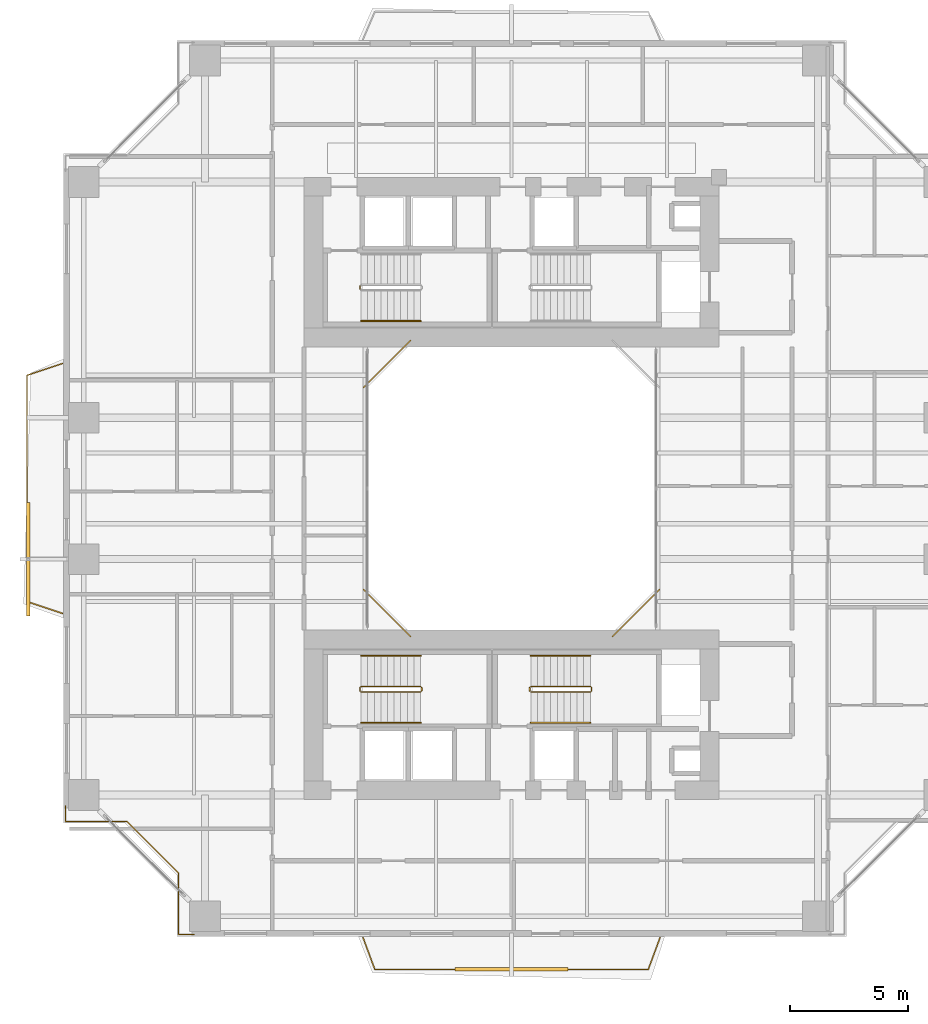
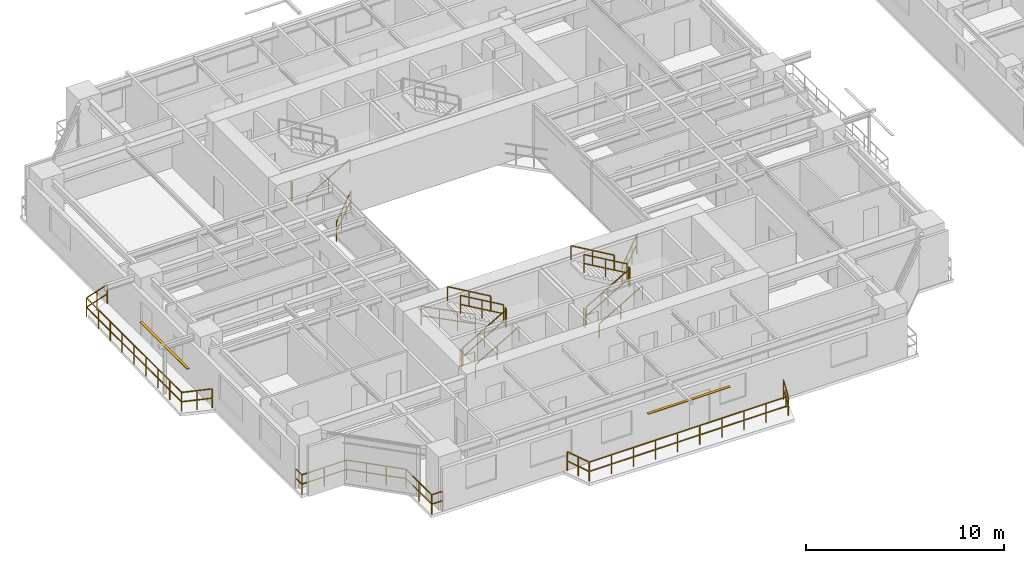
# One storey, part 20 of 24: 20 railings, 2 shading devices.
"""IFC4 building model written with IfcOpenShell, lengths in metres."""

from ifc_helpers import new_model, si_unit, direction, frame, origin, origin_2d, place, context, subcontext, project, spatial, rectangle, extrude, source, transform, mapped, material, material_profile, profile_set, type_object, element, save


model = new_model("IFC4")

# Units and contexts
model_context = context("Model", 3, precision=1e-05, world=origin(), true_north=direction((0.0, 1.0)))
body_context = subcontext(model_context, "Body", "Model", "MODEL_VIEW")
ifc_project = project(units=[si_unit("LENGTHUNIT", "METRE"), si_unit("AREAUNIT", "SQUARE_METRE"), si_unit("VOLUMEUNIT", "CUBIC_METRE"), si_unit("PLANEANGLEUNIT", "RADIAN"), si_unit("MASSUNIT", "GRAM", prefix="KILO"), si_unit("THERMODYNAMICTEMPERATUREUNIT", "KELVIN"), si_unit("POWERUNIT", "WATT")], contexts=[model_context])

# Site, building, storey
site_placement = place(None, origin())
site = spatial("IfcSite", under=ifc_project, at=site_placement, CompositionType="ELEMENT")
building_placement = place(site_placement, origin())
building = spatial("IfcBuilding", under=site, at=building_placement, Name="Qiaomeng Ring Towers", CompositionType="ELEMENT")
storey_placement = place(building_placement, frame((0.0, 0.0, 36.0)))
storey = spatial("IfcBuildingStorey", under=building, at=storey_placement, Name="L09", CompositionType="ELEMENT", Elevation=36.0)

# Railings
ifc_material_1 = material(Name="Low-E pale-green laminated safety glass", Category="glass")
railing_type_1 = type_object("IfcRailingType", Name="ARC-RL-BAL1", PredefinedType="BALUSTRADE", material=ifc_material_1)
railing_1_placement = place(storey_placement, frame((23.280029296875, 16.719970703125, 0.0)))
element("IfcRailing", 1, at=railing_1_placement, inside=storey, type_object=railing_type_1, Name="L09 Balustrade ARC-BAL-WELL1-L09-1", PredefinedType="BALUSTRADE", context=body_context, shape_type="SweptSolid", body=[
    extrude(rectangle(XDim=0.048095703125, YDim=0.048095703125, at=origin_2d()), frame((0.0, 0.0, 1.17578125), z_axis=(0.707106781187, 0.707106781187, 0.0), x_axis=(-0.707106781187, 0.707106781187, 0.0)), (0.0, 0.0, 1.0), 2.828369140625),
    extrude(rectangle(XDim=0.048095703125, YDim=0.048095703125, at=origin_2d()), frame((0.0, 0.0, 0.60009765625), z_axis=(0.707106781187, 0.707106781187, 0.0), x_axis=(-0.707106781187, 0.707106781187, 0.0)), (0.0, 0.0, 1.0), 2.828369140625),
    extrude(rectangle(XDim=0.0419921875, YDim=0.0419921875, at=origin_2d()), origin(), (0.0, 0.0, 1.0), 1.15185546875),
    extrude(rectangle(XDim=0.0419921875, YDim=0.0419921875, at=origin_2d()), frame((0.666748046875, 0.666748046875, 0.0)), (0.0, 0.0, 1.0), 1.15185546875),
    extrude(rectangle(XDim=0.0419921875, YDim=0.0419921875, at=origin_2d()), frame((1.333251953125, 1.333251953125, 0.0)), (0.0, 0.0, 1.0), 1.15185546875),
    extrude(rectangle(XDim=0.0419921875, YDim=0.0419921875, at=origin_2d()), frame((2.0, 2.0, 0.0)), (0.0, 0.0, 1.0), 1.15185546875),
])
railing_2_placement = place(storey_placement, frame((14.719970703125, 29.280029296875, 0.0)))
element("IfcRailing", 2, at=railing_2_placement, inside=storey, type_object=railing_type_1, Name="L09 Balustrade ARC-BAL-WELL1-L09-3", PredefinedType="BALUSTRADE", context=body_context, shape_type="SweptSolid", body=[
    extrude(rectangle(XDim=0.048095703125, YDim=0.048095703125, at=origin_2d()), frame((0.0, 0.0, 1.17578125), z_axis=(-0.707106781187, -0.707106781187, 0.0), x_axis=(0.707106781187, -0.707106781187, 0.0)), (0.0, 0.0, 1.0), 2.828369140625),
    extrude(rectangle(XDim=0.048095703125, YDim=0.048095703125, at=origin_2d()), frame((0.0, 0.0, 0.60009765625), z_axis=(-0.707106781187, -0.707106781187, 0.0), x_axis=(0.707106781187, -0.707106781187, 0.0)), (0.0, 0.0, 1.0), 2.828369140625),
    extrude(rectangle(XDim=0.0419921875, YDim=0.0419921875, at=origin_2d()), origin(), (0.0, 0.0, 1.0), 1.15185546875),
    extrude(rectangle(XDim=0.0419921875, YDim=0.0419921875, at=origin_2d()), frame((-0.666748046875, -0.666748046875, 0.0)), (0.0, 0.0, 1.0), 1.15185546875),
    extrude(rectangle(XDim=0.0419921875, YDim=0.0419921875, at=origin_2d()), frame((-1.333251953125, -1.333251953125, 0.0)), (0.0, 0.0, 1.0), 1.15185546875),
    extrude(rectangle(XDim=0.0419921875, YDim=0.0419921875, at=origin_2d()), frame((-2.0, -2.0, 0.0)), (0.0, 0.0, 1.0), 1.15185546875),
])
railing_3_placement = place(storey_placement, frame((12.719970703125, 18.719970703125, 0.0)))
element("IfcRailing", 3, at=railing_3_placement, inside=storey, type_object=railing_type_1, Name="L09 Balustrade ARC-BAL-WELL1-L09-4", PredefinedType="BALUSTRADE", context=body_context, shape_type="SweptSolid", body=[
    extrude(rectangle(XDim=0.048095703125, YDim=0.048095703125, at=origin_2d()), frame((0.0, 0.0, 1.17578125), z_axis=(0.707106781187, -0.707106781187, 0.0), x_axis=(0.707106781187, 0.707106781187, 0.0)), (0.0, 0.0, 1.0), 2.828369140625),
    extrude(rectangle(XDim=0.048095703125, YDim=0.048095703125, at=origin_2d()), frame((0.0, 0.0, 0.60009765625), z_axis=(0.707106781187, -0.707106781187, 0.0), x_axis=(0.707106781187, 0.707106781187, 0.0)), (0.0, 0.0, 1.0), 2.828369140625),
    extrude(rectangle(XDim=0.0419921875, YDim=0.0419921875, at=origin_2d()), origin(), (0.0, 0.0, 1.0), 1.15185546875),
    extrude(rectangle(XDim=0.0419921875, YDim=0.0419921875, at=origin_2d()), frame((0.666748046875, -0.666748046875, 0.0)), (0.0, 0.0, 1.0), 1.15185546875),
    extrude(rectangle(XDim=0.0419921875, YDim=0.0419921875, at=origin_2d()), frame((1.333251953125, -1.333251953125, 0.0)), (0.0, 0.0, 1.0), 1.15185546875),
    extrude(rectangle(XDim=0.0419921875, YDim=0.0419921875, at=origin_2d()), frame((2.0, -2.0, 0.0)), (0.0, 0.0, 1.0), 1.15185546875),
])
railing_4_placement = place(storey_placement, frame((0.080078125, 9.530029296875, 0.0)))
element("IfcRailing", 4, at=railing_4_placement, inside=storey, type_object=railing_type_1, Name="L09 Balustrade ARC-BAL-NOTCH1-L09-SW", PredefinedType="BALUSTRADE", context=body_context, shape_type="SweptSolid", body=[
    extrude(rectangle(XDim=0.048095703125, YDim=0.048095703125, at=origin_2d()), frame((0.0, 0.0, 1.17578125), z_axis=(0.0, -1.0, 0.0), x_axis=(1.0, 0.0, 0.0)), (0.0, 0.0, 1.0), 0.650146484375),
    extrude(rectangle(XDim=0.048095703125, YDim=0.048095703125, at=origin_2d()), frame((0.0, 0.0, 0.60009765625), z_axis=(0.0, -1.0, 0.0), x_axis=(1.0, 0.0, 0.0)), (0.0, 0.0, 1.0), 0.650146484375),
    extrude(rectangle(XDim=0.048095703125, YDim=0.048095703125, at=origin_2d()), frame((0.0, -0.650146484375, 1.17578125), z_axis=(1.0, 0.0, 0.0), x_axis=(0.0, 1.0, 0.0)), (0.0, 0.0, 1.0), 2.599853515625),
    extrude(rectangle(XDim=0.048095703125, YDim=0.048095703125, at=origin_2d()), frame((0.0, -0.650146484375, 0.60009765625), z_axis=(1.0, 0.0, 0.0), x_axis=(0.0, 1.0, 0.0)), (0.0, 0.0, 1.0), 2.599853515625),
    extrude(rectangle(XDim=0.048095703125, YDim=0.048095703125, at=origin_2d()), frame((2.599853515625, -0.650146484375, 1.17578125), z_axis=(0.707106781187, -0.707106781187, 0.0), x_axis=(0.707106781187, 0.707106781187, 0.0)), (0.0, 0.0, 1.0), 3.111083984375),
    extrude(rectangle(XDim=0.048095703125, YDim=0.048095703125, at=origin_2d()), frame((2.599853515625, -0.650146484375, 0.60009765625), z_axis=(0.707106781187, -0.707106781187, 0.0), x_axis=(0.707106781187, 0.707106781187, 0.0)), (0.0, 0.0, 1.0), 3.111083984375),
    extrude(rectangle(XDim=0.048095703125, YDim=0.048095703125, at=origin_2d()), frame((4.7998046875, -2.85009765625, 1.17578125), z_axis=(0.0, -1.0, 0.0), x_axis=(1.0, 0.0, 0.0)), (0.0, 0.0, 1.0), 2.599853515625),
    extrude(rectangle(XDim=0.048095703125, YDim=0.048095703125, at=origin_2d()), frame((4.7998046875, -2.85009765625, 0.60009765625), z_axis=(0.0, -1.0, 0.0), x_axis=(1.0, 0.0, 0.0)), (0.0, 0.0, 1.0), 2.599853515625),
    extrude(rectangle(XDim=0.048095703125, YDim=0.048095703125, at=origin_2d()), frame((4.7998046875, -5.449951171875, 1.17578125), z_axis=(1.0, 0.0, 0.0), x_axis=(0.0, 1.0, 0.0)), (0.0, 0.0, 1.0), 0.650146484375),
    extrude(rectangle(XDim=0.048095703125, YDim=0.048095703125, at=origin_2d()), frame((4.7998046875, -5.449951171875, 0.60009765625), z_axis=(1.0, 0.0, 0.0), x_axis=(0.0, 1.0, 0.0)), (0.0, 0.0, 1.0), 0.650146484375),
    extrude(rectangle(XDim=0.0419921875, YDim=0.0419921875, at=origin_2d()), origin(), (0.0, 0.0, 1.0), 1.15185546875),
    extrude(rectangle(XDim=0.0419921875, YDim=0.0419921875, at=origin_2d()), frame((0.0, -0.650146484375, 0.0)), (0.0, 0.0, 1.0), 1.15185546875),
    extrude(rectangle(XDim=0.0419921875, YDim=0.0419921875, at=origin_2d()), frame((1.2998046875, -0.650146484375, 0.0)), (0.0, 0.0, 1.0), 1.15185546875),
    extrude(rectangle(XDim=0.0419921875, YDim=0.0419921875, at=origin_2d()), frame((2.599853515625, -0.650146484375, 0.0)), (0.0, 0.0, 1.0), 1.15185546875),
    extrude(rectangle(XDim=0.0419921875, YDim=0.0419921875, at=origin_2d()), frame((3.333251953125, -1.383544921875, 0.0)), (0.0, 0.0, 1.0), 1.15185546875),
    extrude(rectangle(XDim=0.0419921875, YDim=0.0419921875, at=origin_2d()), frame((4.06640625, -2.11669921875, 0.0)), (0.0, 0.0, 1.0), 1.15185546875),
    extrude(rectangle(XDim=0.0419921875, YDim=0.0419921875, at=origin_2d()), frame((4.7998046875, -2.85009765625, 0.0)), (0.0, 0.0, 1.0), 1.15185546875),
    extrude(rectangle(XDim=0.0419921875, YDim=0.0419921875, at=origin_2d()), frame((4.7998046875, -4.14990234375, 0.0)), (0.0, 0.0, 1.0), 1.15185546875),
    extrude(rectangle(XDim=0.0419921875, YDim=0.0419921875, at=origin_2d()), frame((4.7998046875, -5.449951171875, 0.0)), (0.0, 0.0, 1.0), 1.15185546875),
    extrude(rectangle(XDim=0.0419921875, YDim=0.0419921875, at=origin_2d()), frame((5.449951171875, -5.449951171875, 0.0)), (0.0, 0.0, 1.0), 1.15185546875),
])
railing_5_placement = place(storey_placement, frame((12.699951171875, 3.949951171875, 0.0)))
element("IfcRailing", 5, at=railing_5_placement, inside=storey, type_object=railing_type_1, Name="L09 Balustrade ARC-BAL-L09-T1-S", PredefinedType="BALUSTRADE", context=body_context, shape_type="SweptSolid", body=[
    extrude(rectangle(XDim=0.048095703125, YDim=0.048095703125, at=origin_2d()), frame((0.0, 0.0, 1.17578125), z_axis=(0.347347498827, -0.937736484871, 0.0), x_axis=(0.937736484871, 0.347347498827, 0.0)), (0.0, 0.0, 1.0), 1.439453125),
    extrude(rectangle(XDim=0.048095703125, YDim=0.048095703125, at=origin_2d()), frame((0.0, 0.0, 0.60009765625), z_axis=(0.347347498827, -0.937736484871, 0.0), x_axis=(0.937736484871, 0.347347498827, 0.0)), (0.0, 0.0, 1.0), 1.439453125),
    extrude(rectangle(XDim=0.048095703125, YDim=0.048095703125, at=origin_2d()), frame((0.5, -1.349853515625, 1.17578125), z_axis=(1.0, 0.0, 0.0), x_axis=(0.0, 1.0, 0.0)), (0.0, 0.0, 1.0), 11.60009765625),
    extrude(rectangle(XDim=0.048095703125, YDim=0.048095703125, at=origin_2d()), frame((0.5, -1.349853515625, 0.60009765625), z_axis=(1.0, 0.0, 0.0), x_axis=(0.0, 1.0, 0.0)), (0.0, 0.0, 1.0), 11.60009765625),
    extrude(rectangle(XDim=0.048095703125, YDim=0.048095703125, at=origin_2d()), frame((12.10009765625, -1.349853515625, 1.17578125), z_axis=(0.347347498827, 0.937736484871, 0.0), x_axis=(-0.937736484871, 0.347347498827, 0.0)), (0.0, 0.0, 1.0), 1.439453125),
    extrude(rectangle(XDim=0.048095703125, YDim=0.048095703125, at=origin_2d()), frame((12.10009765625, -1.349853515625, 0.60009765625), z_axis=(0.347347498827, 0.937736484871, 0.0), x_axis=(-0.937736484871, 0.347347498827, 0.0)), (0.0, 0.0, 1.0), 1.439453125),
    extrude(rectangle(XDim=0.0419921875, YDim=0.0419921875, at=origin_2d()), origin(), (0.0, 0.0, 1.0), 1.15185546875),
    extrude(rectangle(XDim=0.0419921875, YDim=0.0419921875, at=origin_2d()), frame((0.25, -0.6748046875, 0.0)), (0.0, 0.0, 1.0), 1.15185546875),
    extrude(rectangle(XDim=0.0419921875, YDim=0.0419921875, at=origin_2d()), frame((0.5, -1.349853515625, 0.0)), (0.0, 0.0, 1.0), 1.15185546875),
    extrude(rectangle(XDim=0.0419921875, YDim=0.0419921875, at=origin_2d()), frame((1.788818359375, -1.349853515625, 0.0)), (0.0, 0.0, 1.0), 1.15185546875),
    extrude(rectangle(XDim=0.0419921875, YDim=0.0419921875, at=origin_2d()), frame((3.077880859375, -1.349853515625, 0.0)), (0.0, 0.0, 1.0), 1.15185546875),
    extrude(rectangle(XDim=0.0419921875, YDim=0.0419921875, at=origin_2d()), frame((4.36669921875, -1.349853515625, 0.0)), (0.0, 0.0, 1.0), 1.15185546875),
    extrude(rectangle(XDim=0.0419921875, YDim=0.0419921875, at=origin_2d()), frame((5.655517578125, -1.349853515625, 0.0)), (0.0, 0.0, 1.0), 1.15185546875),
    extrude(rectangle(XDim=0.0419921875, YDim=0.0419921875, at=origin_2d()), frame((6.944580078125, -1.349853515625, 0.0)), (0.0, 0.0, 1.0), 1.15185546875),
    extrude(rectangle(XDim=0.0419921875, YDim=0.0419921875, at=origin_2d()), frame((8.2333984375, -1.349853515625, 0.0)), (0.0, 0.0, 1.0), 1.15185546875),
    extrude(rectangle(XDim=0.0419921875, YDim=0.0419921875, at=origin_2d()), frame((9.522216796875, -1.349853515625, 0.0)), (0.0, 0.0, 1.0), 1.15185546875),
    extrude(rectangle(XDim=0.0419921875, YDim=0.0419921875, at=origin_2d()), frame((10.811279296875, -1.349853515625, 0.0)), (0.0, 0.0, 1.0), 1.15185546875),
    extrude(rectangle(XDim=0.0419921875, YDim=0.0419921875, at=origin_2d()), frame((12.10009765625, -1.349853515625, 0.0)), (0.0, 0.0, 1.0), 1.15185546875),
    extrude(rectangle(XDim=0.0419921875, YDim=0.0419921875, at=origin_2d()), frame((12.35009765625, -0.6748046875, 0.0)), (0.0, 0.0, 1.0), 1.15185546875),
    extrude(rectangle(XDim=0.0419921875, YDim=0.0419921875, at=origin_2d()), frame((12.60009765625, 0.0, 0.0)), (0.0, 0.0, 1.0), 1.15185546875),
])
railing_6_placement = place(storey_placement, frame((-0.050048828125, 17.699951171875, 0.0)))
element("IfcRailing", 6, at=railing_6_placement, inside=storey, type_object=railing_type_1, Name="L09 Balustrade ARC-BAL-L09-T1-W", PredefinedType="BALUSTRADE", context=body_context, shape_type="SweptSolid", body=[
    extrude(rectangle(XDim=0.048095703125, YDim=0.048095703125, at=origin_2d()), frame((0.0, 0.0, 1.17578125), z_axis=(-0.948683298051, 0.316227766017, 0.0), x_axis=(-0.316227766017, -0.948683298051, 0.0)), (0.0, 0.0, 1.0), 1.5810546875),
    extrude(rectangle(XDim=0.048095703125, YDim=0.048095703125, at=origin_2d()), frame((0.0, 0.0, 0.60009765625), z_axis=(-0.948683298051, 0.316227766017, 0.0), x_axis=(-0.316227766017, -0.948683298051, 0.0)), (0.0, 0.0, 1.0), 1.5810546875),
    extrude(rectangle(XDim=0.048095703125, YDim=0.048095703125, at=origin_2d()), frame((-1.5, 0.5, 1.17578125), z_axis=(0.0, 1.0, 0.0), x_axis=(-1.0, 0.0, 0.0)), (0.0, 0.0, 1.0), 9.60009765625),
    extrude(rectangle(XDim=0.048095703125, YDim=0.048095703125, at=origin_2d()), frame((-1.5, 0.5, 0.60009765625), z_axis=(0.0, 1.0, 0.0), x_axis=(-1.0, 0.0, 0.0)), (0.0, 0.0, 1.0), 9.60009765625),
    extrude(rectangle(XDim=0.048095703125, YDim=0.048095703125, at=origin_2d()), frame((-1.5, 10.10009765625, 1.17578125), z_axis=(0.948683298051, 0.316227766017, 0.0), x_axis=(-0.316227766017, 0.948683298051, 0.0)), (0.0, 0.0, 1.0), 1.5810546875),
    extrude(rectangle(XDim=0.048095703125, YDim=0.048095703125, at=origin_2d()), frame((-1.5, 10.10009765625, 0.60009765625), z_axis=(0.948683298051, 0.316227766017, 0.0), x_axis=(-0.316227766017, 0.948683298051, 0.0)), (0.0, 0.0, 1.0), 1.5810546875),
    extrude(rectangle(XDim=0.0419921875, YDim=0.0419921875, at=origin_2d()), origin(), (0.0, 0.0, 1.0), 1.15185546875),
    extrude(rectangle(XDim=0.0419921875, YDim=0.0419921875, at=origin_2d()), frame((-0.75, 0.25, 0.0)), (0.0, 0.0, 1.0), 1.15185546875),
    extrude(rectangle(XDim=0.0419921875, YDim=0.0419921875, at=origin_2d()), frame((-1.5, 0.5, 0.0)), (0.0, 0.0, 1.0), 1.15185546875),
    extrude(rectangle(XDim=0.0419921875, YDim=0.0419921875, at=origin_2d()), frame((-1.5, 1.699951171875, 0.0)), (0.0, 0.0, 1.0), 1.15185546875),
    extrude(rectangle(XDim=0.0419921875, YDim=0.0419921875, at=origin_2d()), frame((-1.5, 2.89990234375, 0.0)), (0.0, 0.0, 1.0), 1.15185546875),
    extrude(rectangle(XDim=0.0419921875, YDim=0.0419921875, at=origin_2d()), frame((-1.5, 4.10009765625, 0.0)), (0.0, 0.0, 1.0), 1.15185546875),
    extrude(rectangle(XDim=0.0419921875, YDim=0.0419921875, at=origin_2d()), frame((-1.5, 5.300048828125, 0.0)), (0.0, 0.0, 1.0), 1.15185546875),
    extrude(rectangle(XDim=0.0419921875, YDim=0.0419921875, at=origin_2d()), frame((-1.5, 6.5, 0.0)), (0.0, 0.0, 1.0), 1.15185546875),
    extrude(rectangle(XDim=0.0419921875, YDim=0.0419921875, at=origin_2d()), frame((-1.5, 7.7001953125, 0.0)), (0.0, 0.0, 1.0), 1.15185546875),
    extrude(rectangle(XDim=0.0419921875, YDim=0.0419921875, at=origin_2d()), frame((-1.5, 8.900146484375, 0.0)), (0.0, 0.0, 1.0), 1.15185546875),
    extrude(rectangle(XDim=0.0419921875, YDim=0.0419921875, at=origin_2d()), frame((-1.5, 10.10009765625, 0.0)), (0.0, 0.0, 1.0), 1.15185546875),
    extrude(rectangle(XDim=0.0419921875, YDim=0.0419921875, at=origin_2d()), frame((-0.75, 10.35009765625, 0.0)), (0.0, 0.0, 1.0), 1.15185546875),
    extrude(rectangle(XDim=0.0419921875, YDim=0.0419921875, at=origin_2d()), frame((0.0, 10.60009765625, 0.0)), (0.0, 0.0, 1.0), 1.15185546875),
])
ifc_material_2 = material(Name="Galvanised steel", Category="steel")
railing_type_2 = type_object("IfcRailingType", Name="ARC-RL-GUARD", PredefinedType="GUARDRAIL", material=ifc_material_2)
railing_7_placement = place(storey_placement, frame((12.570068359375, 31.449951171875, 0.0)))
element("IfcRailing", 7, at=railing_7_placement, inside=storey, type_object=railing_type_2, Name="L09 ST1 stair guard 4", PredefinedType="GUARDRAIL", context=body_context, shape_type="SweptSolid", body=[
    extrude(rectangle(XDim=0.048095703125, YDim=0.048095703125, at=origin_2d()), frame((0.0, 0.0, 1.1259765625), z_axis=(0.0, 1.0, 0.0), x_axis=(-1.0, 0.0, 0.0)), (0.0, 0.0, 1.0), 0.14013671875),
    extrude(rectangle(XDim=0.048095703125, YDim=0.048095703125, at=origin_2d()), frame((0.0, 0.0, 0.574951171875), z_axis=(0.0, 1.0, 0.0), x_axis=(-1.0, 0.0, 0.0)), (0.0, 0.0, 1.0), 0.14013671875),
    extrude(rectangle(XDim=0.0419921875, YDim=0.0419921875, at=origin_2d()), origin(), (0.0, 0.0, 1.0), 1.101806640625),
    extrude(rectangle(XDim=0.0419921875, YDim=0.0419921875, at=origin_2d()), frame((0.0, 0.14013671875, 0.0)), (0.0, 0.0, 1.0), 1.101806640625),
])
railing_8_placement = place(storey_placement, frame((12.6201171875, 14.360107421875, 0.16259765625)))
element("IfcRailing", 8, at=railing_8_placement, inside=storey, type_object=railing_type_2, Name="L09 ST3 stair guard 1", PredefinedType="GUARDRAIL", context=body_context, shape_type="SweptSolid", body=[
    extrude(rectangle(XDim=0.048095703125, YDim=0.048095703125, at=origin_2d()), frame((0.0, 0.0, 1.1259765625), z_axis=(0.864892226395, 0.0, 0.501957604506), x_axis=(0.0, 1.0, 0.0)), (0.0, 0.0, 1.0), 2.913330078125),
    extrude(rectangle(XDim=0.048095703125, YDim=0.048095703125, at=origin_2d()), frame((0.0, 0.0, 0.574951171875), z_axis=(0.864892226395, 0.0, 0.501957604506), x_axis=(0.0, 1.0, 0.0)), (0.0, 0.0, 1.0), 2.913330078125),
    extrude(rectangle(XDim=0.0419921875, YDim=0.0419921875, at=origin_2d()), origin(), (0.0, 0.0, 1.0), 1.101806640625),
    extrude(rectangle(XDim=0.0419921875, YDim=0.0419921875, at=origin_2d()), frame((1.259765625, 0.0, 0.731201171875)), (0.0, 0.0, 1.0), 1.101806640625),
    extrude(rectangle(XDim=0.0419921875, YDim=0.0419921875, at=origin_2d()), frame((2.519775390625, 0.0, 1.46240234375)), (0.0, 0.0, 1.0), 1.101806640625),
])
railing_9_placement = place(storey_placement, frame((15.18994140625, 14.409912109375, 1.625)))
element("IfcRailing", 9, at=railing_9_placement, inside=storey, type_object=railing_type_2, Name="L09 ST3 stair guard 2", PredefinedType="GUARDRAIL", context=body_context, shape_type="SweptSolid", body=[
    extrude(rectangle(XDim=0.048095703125, YDim=0.048095703125, at=origin_2d()), frame((0.0, 0.0, 1.1259765625), z_axis=(0.0, 1.0, 0.0), x_axis=(-1.0, 0.0, 0.0)), (0.0, 0.0, 1.0), 0.14013671875),
    extrude(rectangle(XDim=0.048095703125, YDim=0.048095703125, at=origin_2d()), frame((0.0, 0.0, 0.574951171875), z_axis=(0.0, 1.0, 0.0), x_axis=(-1.0, 0.0, 0.0)), (0.0, 0.0, 1.0), 0.14013671875),
    extrude(rectangle(XDim=0.0419921875, YDim=0.0419921875, at=origin_2d()), origin(), (0.0, 0.0, 1.0), 1.101806640625),
    extrude(rectangle(XDim=0.0419921875, YDim=0.0419921875, at=origin_2d()), frame((0.0, 0.14013671875, 0.0)), (0.0, 0.0, 1.0), 1.101806640625),
])
railing_10_placement = place(storey_placement, frame((15.139892578125, 14.60009765625, 1.78759765625)))
element("IfcRailing", 10, at=railing_10_placement, inside=storey, type_object=railing_type_2, Name="L09 ST3 stair guard 3", PredefinedType="GUARDRAIL", context=body_context, shape_type="SweptSolid", body=[
    extrude(rectangle(XDim=0.048095703125, YDim=0.048095703125, at=origin_2d()), frame((0.0, 0.0, 1.1259765625), z_axis=(-0.864892226395, 0.0, 0.501957604506), x_axis=(0.0, -1.0, 0.0)), (0.0, 0.0, 1.0), 2.913330078125),
    extrude(rectangle(XDim=0.048095703125, YDim=0.048095703125, at=origin_2d()), frame((0.0, 0.0, 0.574951171875), z_axis=(-0.864892226395, 0.0, 0.501957604506), x_axis=(0.0, -1.0, 0.0)), (0.0, 0.0, 1.0), 2.913330078125),
    extrude(rectangle(XDim=0.0419921875, YDim=0.0419921875, at=origin_2d()), origin(), (0.0, 0.0, 1.0), 1.101806640625),
    extrude(rectangle(XDim=0.0419921875, YDim=0.0419921875, at=origin_2d()), frame((-1.259765625, 0.0, 0.731201171875)), (0.0, 0.0, 1.0), 1.101806640625),
    extrude(rectangle(XDim=0.0419921875, YDim=0.0419921875, at=origin_2d()), frame((-2.519775390625, 0.0, 1.46240234375)), (0.0, 0.0, 1.0), 1.101806640625),
])
railing_11_placement = place(storey_placement, frame((12.570068359375, 14.409912109375, 0.0)))
element("IfcRailing", 11, at=railing_11_placement, inside=storey, type_object=railing_type_2, Name="L09 ST3 stair guard 4", PredefinedType="GUARDRAIL", context=body_context, shape_type="SweptSolid", body=[
    extrude(rectangle(XDim=0.048095703125, YDim=0.048095703125, at=origin_2d()), frame((0.0, 0.0, 1.1259765625), z_axis=(0.0, 1.0, 0.0), x_axis=(-1.0, 0.0, 0.0)), (0.0, 0.0, 1.0), 0.14013671875),
    extrude(rectangle(XDim=0.048095703125, YDim=0.048095703125, at=origin_2d()), frame((0.0, 0.0, 0.574951171875), z_axis=(0.0, 1.0, 0.0), x_axis=(-1.0, 0.0, 0.0)), (0.0, 0.0, 1.0), 0.14013671875),
    extrude(rectangle(XDim=0.0419921875, YDim=0.0419921875, at=origin_2d()), origin(), (0.0, 0.0, 1.0), 1.101806640625),
    extrude(rectangle(XDim=0.0419921875, YDim=0.0419921875, at=origin_2d()), frame((0.0, 0.14013671875, 0.0)), (0.0, 0.0, 1.0), 1.101806640625),
])
railing_12_placement = place(storey_placement, frame((19.820068359375, 14.360107421875, 0.16259765625)))
element("IfcRailing", 12, at=railing_12_placement, inside=storey, type_object=railing_type_2, Name="L09 ST4 stair guard 1", PredefinedType="GUARDRAIL", context=body_context, shape_type="SweptSolid", body=[
    extrude(rectangle(XDim=0.048095703125, YDim=0.048095703125, at=origin_2d()), frame((0.0, 0.0, 1.1259765625), z_axis=(0.864913338283, 0.0, 0.50192122615), x_axis=(0.0, 1.0, 0.0)), (0.0, 0.0, 1.0), 2.91357421875),
    extrude(rectangle(XDim=0.048095703125, YDim=0.048095703125, at=origin_2d()), frame((0.0, 0.0, 0.574951171875), z_axis=(0.864913338283, 0.0, 0.50192122615), x_axis=(0.0, 1.0, 0.0)), (0.0, 0.0, 1.0), 2.91357421875),
    extrude(rectangle(XDim=0.0419921875, YDim=0.0419921875, at=origin_2d()), origin(), (0.0, 0.0, 1.0), 1.101806640625),
    extrude(rectangle(XDim=0.0419921875, YDim=0.0419921875, at=origin_2d()), frame((1.260009765625, 0.0, 0.731201171875)), (0.0, 0.0, 1.0), 1.101806640625),
    extrude(rectangle(XDim=0.0419921875, YDim=0.0419921875, at=origin_2d()), frame((2.52001953125, 0.0, 1.46240234375)), (0.0, 0.0, 1.0), 1.101806640625),
])
railing_13_placement = place(storey_placement, frame((22.389892578125, 14.409912109375, 1.625)))
element("IfcRailing", 13, at=railing_13_placement, inside=storey, type_object=railing_type_2, Name="L09 ST4 stair guard 2", PredefinedType="GUARDRAIL", context=body_context, shape_type="SweptSolid", body=[
    extrude(rectangle(XDim=0.048095703125, YDim=0.048095703125, at=origin_2d()), frame((0.0, 0.0, 1.1259765625), z_axis=(0.0, 1.0, 0.0), x_axis=(-1.0, 0.0, 0.0)), (0.0, 0.0, 1.0), 0.14013671875),
    extrude(rectangle(XDim=0.048095703125, YDim=0.048095703125, at=origin_2d()), frame((0.0, 0.0, 0.574951171875), z_axis=(0.0, 1.0, 0.0), x_axis=(-1.0, 0.0, 0.0)), (0.0, 0.0, 1.0), 0.14013671875),
    extrude(rectangle(XDim=0.0419921875, YDim=0.0419921875, at=origin_2d()), origin(), (0.0, 0.0, 1.0), 1.101806640625),
    extrude(rectangle(XDim=0.0419921875, YDim=0.0419921875, at=origin_2d()), frame((0.0, 0.14013671875, 0.0)), (0.0, 0.0, 1.0), 1.101806640625),
])
railing_14_placement = place(storey_placement, frame((22.340087890625, 14.60009765625, 1.78759765625)))
element("IfcRailing", 14, at=railing_14_placement, inside=storey, type_object=railing_type_2, Name="L09 ST4 stair guard 3", PredefinedType="GUARDRAIL", context=body_context, shape_type="SweptSolid", body=[
    extrude(rectangle(XDim=0.048095703125, YDim=0.048095703125, at=origin_2d()), frame((0.0, 0.0, 1.1259765625), z_axis=(-0.864913338283, 0.0, 0.50192122615), x_axis=(0.0, -1.0, 0.0)), (0.0, 0.0, 1.0), 2.91357421875),
    extrude(rectangle(XDim=0.048095703125, YDim=0.048095703125, at=origin_2d()), frame((0.0, 0.0, 0.574951171875), z_axis=(-0.864913338283, 0.0, 0.50192122615), x_axis=(0.0, -1.0, 0.0)), (0.0, 0.0, 1.0), 2.91357421875),
    extrude(rectangle(XDim=0.0419921875, YDim=0.0419921875, at=origin_2d()), origin(), (0.0, 0.0, 1.0), 1.101806640625),
    extrude(rectangle(XDim=0.0419921875, YDim=0.0419921875, at=origin_2d()), frame((-1.260009765625, 0.0, 0.731201171875)), (0.0, 0.0, 1.0), 1.101806640625),
    extrude(rectangle(XDim=0.0419921875, YDim=0.0419921875, at=origin_2d()), frame((-2.52001953125, 0.0, 1.46240234375)), (0.0, 0.0, 1.0), 1.101806640625),
])
railing_15_placement = place(storey_placement, frame((19.77001953125, 14.409912109375, 0.0)))
element("IfcRailing", 15, at=railing_15_placement, inside=storey, type_object=railing_type_2, Name="L09 ST4 stair guard 4", PredefinedType="GUARDRAIL", context=body_context, shape_type="SweptSolid", body=[
    extrude(rectangle(XDim=0.048095703125, YDim=0.048095703125, at=origin_2d()), frame((0.0, 0.0, 1.1259765625), z_axis=(0.0, 1.0, 0.0), x_axis=(-1.0, 0.0, 0.0)), (0.0, 0.0, 1.0), 0.14013671875),
    extrude(rectangle(XDim=0.048095703125, YDim=0.048095703125, at=origin_2d()), frame((0.0, 0.0, 0.574951171875), z_axis=(0.0, 1.0, 0.0), x_axis=(-1.0, 0.0, 0.0)), (0.0, 0.0, 1.0), 0.14013671875),
    extrude(rectangle(XDim=0.0419921875, YDim=0.0419921875, at=origin_2d()), origin(), (0.0, 0.0, 1.0), 1.101806640625),
    extrude(rectangle(XDim=0.0419921875, YDim=0.0419921875, at=origin_2d()), frame((0.0, 0.14013671875, 0.0)), (0.0, 0.0, 1.0), 1.101806640625),
])
ifc_material_3 = material(Name="Stainless steel 316", Category="steel")
railing_type_3 = type_object("IfcRailingType", Name="ARC-RL-HAND", PredefinedType="HANDRAIL", material=ifc_material_3)
for number, where, name in (
    (16, (12.6201171875, 30.10009765625, 0.16259765625), "L09 ST1 stair handrail 1"),
    (17, (12.6201171875, 13.06005859375, 0.16259765625), "L09 ST3 stair handrail 1"),
):
    element("IfcRailing", number, at=place(storey_placement, frame(where)), inside=storey, type_object=railing_type_3, Name=name, PredefinedType="HANDRAIL", context=body_context, shape_type="SweptSolid", body=[
        extrude(rectangle(XDim=0.048095703125, YDim=0.048095703125, at=origin_2d()), frame((0.0, 0.0, 0.8759765625), z_axis=(0.864892226395, 0.0, 0.501957604506), x_axis=(0.0, 1.0, 0.0)), (0.0, 0.0, 1.0), 2.913330078125),
        extrude(rectangle(XDim=0.0419921875, YDim=0.0419921875, at=origin_2d()), origin(), (0.0, 0.0, 1.0), 0.851806640625),
        extrude(rectangle(XDim=0.0419921875, YDim=0.0419921875, at=origin_2d()), frame((1.259765625, 0.0, 0.731201171875)), (0.0, 0.0, 1.0), 0.851806640625),
        extrude(rectangle(XDim=0.0419921875, YDim=0.0419921875, at=origin_2d()), frame((2.519775390625, 0.0, 1.46240234375)), (0.0, 0.0, 1.0), 0.851806640625),
    ])
railing_16_placement = place(storey_placement, frame((15.139892578125, 15.89990234375, 1.78759765625)))
element("IfcRailing", 18, at=railing_16_placement, inside=storey, type_object=railing_type_3, Name="L09 ST3 stair handrail 2", PredefinedType="HANDRAIL", context=body_context, shape_type="SweptSolid", body=[
    extrude(rectangle(XDim=0.048095703125, YDim=0.048095703125, at=origin_2d()), frame((0.0, 0.0, 0.8759765625), z_axis=(-0.864892226395, 0.0, 0.501957604506), x_axis=(0.0, -1.0, 0.0)), (0.0, 0.0, 1.0), 2.913330078125),
    extrude(rectangle(XDim=0.0419921875, YDim=0.0419921875, at=origin_2d()), origin(), (0.0, 0.0, 1.0), 0.851806640625),
    extrude(rectangle(XDim=0.0419921875, YDim=0.0419921875, at=origin_2d()), frame((-1.259765625, 0.0, 0.731201171875)), (0.0, 0.0, 1.0), 0.851806640625),
    extrude(rectangle(XDim=0.0419921875, YDim=0.0419921875, at=origin_2d()), frame((-2.519775390625, 0.0, 1.46240234375)), (0.0, 0.0, 1.0), 0.851806640625),
])
railing_17_placement = place(storey_placement, frame((19.820068359375, 13.06005859375, 0.16259765625)))
element("IfcRailing", 19, at=railing_17_placement, inside=storey, type_object=railing_type_3, Name="L09 ST4 stair handrail 1", PredefinedType="HANDRAIL", context=body_context, shape_type="SweptSolid", body=[
    extrude(rectangle(XDim=0.048095703125, YDim=0.048095703125, at=origin_2d()), frame((0.0, 0.0, 0.8759765625), z_axis=(0.864913338283, 0.0, 0.50192122615), x_axis=(0.0, 1.0, 0.0)), (0.0, 0.0, 1.0), 2.91357421875),
    extrude(rectangle(XDim=0.0419921875, YDim=0.0419921875, at=origin_2d()), origin(), (0.0, 0.0, 1.0), 0.851806640625),
    extrude(rectangle(XDim=0.0419921875, YDim=0.0419921875, at=origin_2d()), frame((1.260009765625, 0.0, 0.731201171875)), (0.0, 0.0, 1.0), 0.851806640625),
    extrude(rectangle(XDim=0.0419921875, YDim=0.0419921875, at=origin_2d()), frame((2.52001953125, 0.0, 1.46240234375)), (0.0, 0.0, 1.0), 0.851806640625),
])
railing_18_placement = place(storey_placement, frame((22.340087890625, 15.89990234375, 1.78759765625)))
element("IfcRailing", 20, at=railing_18_placement, inside=storey, type_object=railing_type_3, Name="L09 ST4 stair handrail 2", PredefinedType="HANDRAIL", context=body_context, shape_type="SweptSolid", body=[
    extrude(rectangle(XDim=0.048095703125, YDim=0.048095703125, at=origin_2d()), frame((0.0, 0.0, 0.8759765625), z_axis=(-0.864913338283, 0.0, 0.50192122615), x_axis=(0.0, -1.0, 0.0)), (0.0, 0.0, 1.0), 2.91357421875),
    extrude(rectangle(XDim=0.0419921875, YDim=0.0419921875, at=origin_2d()), origin(), (0.0, 0.0, 1.0), 0.851806640625),
    extrude(rectangle(XDim=0.0419921875, YDim=0.0419921875, at=origin_2d()), frame((-1.260009765625, 0.0, 0.731201171875)), (0.0, 0.0, 1.0), 0.851806640625),
    extrude(rectangle(XDim=0.0419921875, YDim=0.0419921875, at=origin_2d()), frame((-2.52001953125, 0.0, 1.46240234375)), (0.0, 0.0, 1.0), 0.851806640625),
])

# Shading devices
ifc_material_4 = material(Name="Fluorocarbon dark-grey aluminium", Category="aluminium")
ifc_material_profile = material_profile(ifc_material_4, rectangle(XDim=0.14990234375, YDim=0.034912109375, at=origin_2d()), Name="LV BLADE 150x35")
ifc_profile_set = profile_set([ifc_material_profile], Name="Fluorocarbon dark-grey aluminium")
shading_device_type = type_object("IfcShadingDeviceType", Name="ARC-SHD-SUN", PredefinedType="AWNING", material=ifc_profile_set)
shared_shape = source(origin(), body_context, "Body", "SweptSolid", [
    extrude(rectangle(XDim=0.14990234375, YDim=0.034912109375, at=origin_2d()), origin(), (0.0, 0.0, 1.0), 4.7998046875),
])
for number, where, z_axis, x_axis, name in (
    (21, (16.60009765625, 2.60009765625, 2.969970703125), (1.0, 0.0, 0.0), (0.0, 1.0, 0.0), "L09 Ventilated Outer-Skin Sunshade S"),
    (22, (-1.5, 17.60009765625, 2.969970703125), (0.0, 1.0, 0.0), (-1.0, 0.0, 0.0), "L09 Ventilated Outer-Skin Sunshade W"),
):
    element("IfcShadingDevice", number, at=place(storey_placement, frame(where, z_axis=z_axis, x_axis=x_axis)), inside=storey, type_object=shading_device_type, Name=name, PredefinedType="AWNING", context=body_context, shape_type="MappedRepresentation", body=[
        mapped(shared_shape, transform((0.0, 0.0, 0.0), x_axis=(1.0, 0.0, 0.0), y_axis=(0.0, 1.0, 0.0), z_axis=(0.0, 0.0, 1.0), scale=1.0)),
    ])

save(model, "model.ifc")
